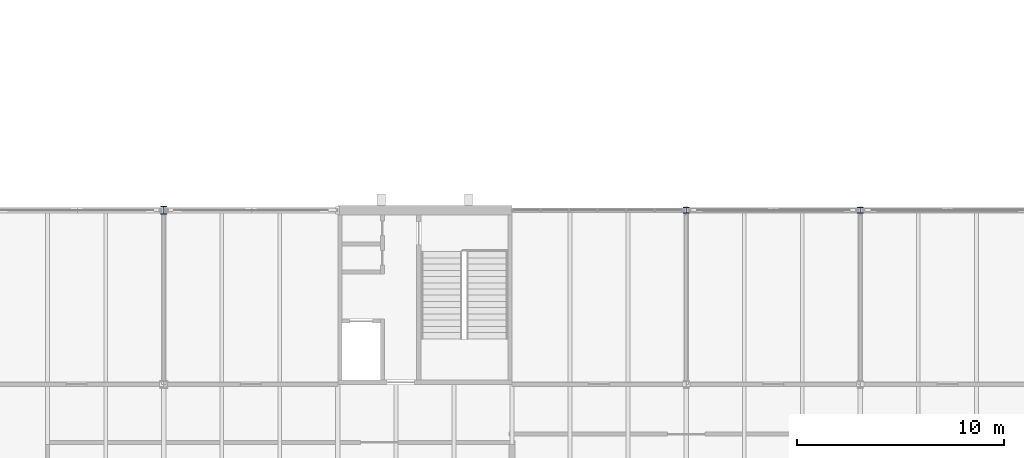
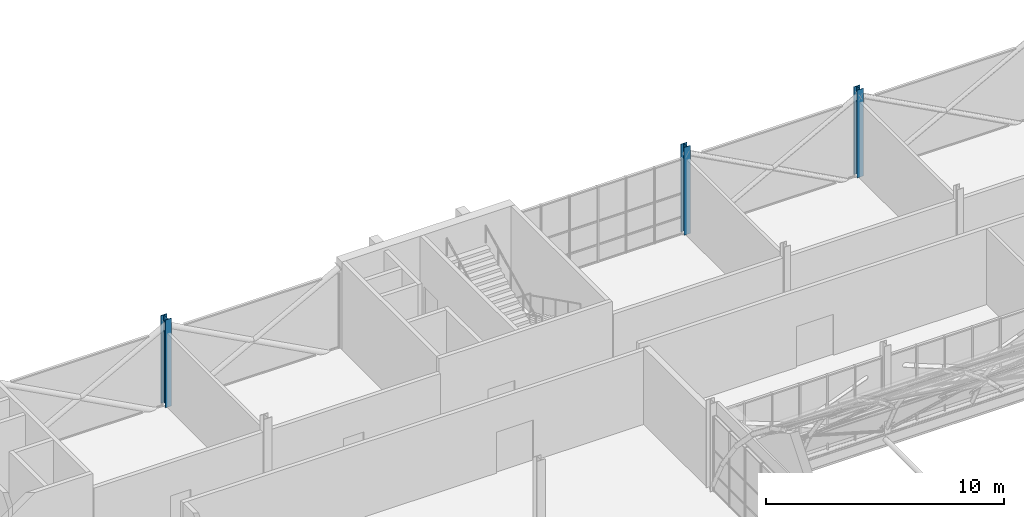
# One storey, part 4 of 121: 3 columns.
"""IFC4 building model written with IfcOpenShell, lengths in metres."""

from ifc_helpers import new_model, si_unit, direction, frame, origin, origin_2d, place, context, subcontext, project, spatial, i_section, extrude, material, material_profile, profile_set, type_object, element, save


model = new_model("IFC4")

# Units and contexts
model_context = context("Model", 3, precision=1e-05, world=origin(), true_north=direction((0.0, 1.0)))
body_context = subcontext(model_context, "Body", "Model", "MODEL_VIEW")
ifc_project = project(units=[si_unit("LENGTHUNIT", "METRE"), si_unit("AREAUNIT", "SQUARE_METRE"), si_unit("VOLUMEUNIT", "CUBIC_METRE"), si_unit("PLANEANGLEUNIT", "RADIAN"), si_unit("MASSUNIT", "GRAM", prefix="KILO")], contexts=[model_context])

# Site, building, storey
site_placement = place(None, origin())
site = spatial("IfcSite", under=ifc_project, at=site_placement, CompositionType="ELEMENT")
building_placement = place(site_placement, origin())
building = spatial("IfcBuilding", under=site, at=building_placement, Name="Ardhachandra Cancer Care Centre", CompositionType="ELEMENT")
storey_placement = place(building_placement, frame((0.0, 0.0, 9.0)))
storey = spatial("IfcBuildingStorey", under=building, at=storey_placement, Name="L02", CompositionType="ELEMENT", Elevation=9.0)

# Columns
ifc_material_1 = material(Name="Steel E350 (IS 2062)", Category="steel")
ifc_material_profile_1 = material_profile(ifc_material_1, i_section(OverallWidth=0.300048828125, OverallDepth=0.300048828125, WebThickness=0.010986328125, FlangeThickness=0.01904296875, FilletRadius=0.027099609375, at=origin_2d()), Name="WPB 300x300x117.03")
ifc_profile_set_1 = profile_set([ifc_material_profile_1], Name="Steel E350 (IS 2062)")
column_type_1 = type_object("IfcColumnType", Name="Column WPB 300x300x117.03", PredefinedType="COLUMN", material=ifc_profile_set_1)
for number, where, z_axis, x_axis, name in (
    (1, (52.800048828125, 96.60009765625, 0.0), (0.0, 0.0, 1.0), (1.0, 0.0, 0.0), "Column L6 L02"),
    (2, (61.199951171875, 96.60009765625, 0.0), (0.0, 0.0, 1.0), (1.0, 0.0, 0.0), "Column L7 L02"),
):
    element("IfcColumn", number, at=place(storey_placement, frame(where, z_axis=z_axis, x_axis=x_axis)), inside=storey, type_object=column_type_1, Name=name, PredefinedType="COLUMN", context=body_context, shape_type="SweptSolid", body=[
        extrude(i_section(OverallWidth=0.300048828125, OverallDepth=0.300048828125, WebThickness=0.010986328125, FlangeThickness=0.01904296875, FilletRadius=0.027099609375, at=origin_2d()), origin(), (0.0, 0.0, 1.0), 4.5),
    ])
ifc_material_2 = material(Name="Steel E350 (IS 2062)", Category="steel")
ifc_material_profile_2 = material_profile(ifc_material_2, i_section(OverallWidth=0.300048828125, OverallDepth=0.39990234375, WebThickness=0.013427734375, FlangeThickness=0.02392578125, FilletRadius=0.027099609375, at=origin_2d()), Name="WPB 400x300x155.26")
ifc_profile_set_2 = profile_set([ifc_material_profile_2], Name="Steel E350 (IS 2062)")
column_type_2 = type_object("IfcColumnType", Name="Column WPB 400x300x155.26", PredefinedType="COLUMN", material=ifc_profile_set_2)
column_placement = place(storey_placement, frame((27.60009765625, 96.60009765625, 0.0), z_axis=(0.0, 0.0, 1.0), x_axis=(1.0, 0.0, 0.0)))
element("IfcColumn", 3, at=column_placement, inside=storey, type_object=column_type_2, Name="Column L3 L02", PredefinedType="COLUMN", context=body_context, shape_type="SweptSolid", body=[
    extrude(i_section(OverallWidth=0.300048828125, OverallDepth=0.39990234375, WebThickness=0.013427734375, FlangeThickness=0.02392578125, FilletRadius=0.027099609375, at=origin_2d()), origin(), (0.0, 0.0, 1.0), 4.5),
])

save(model, "model.ifc")
